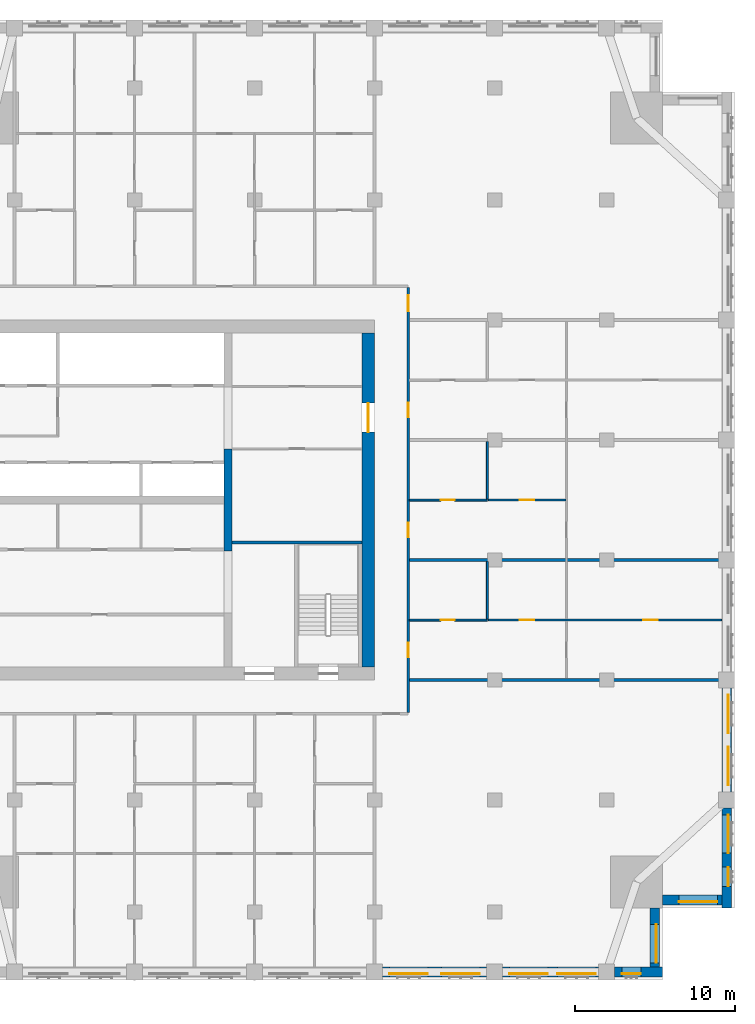
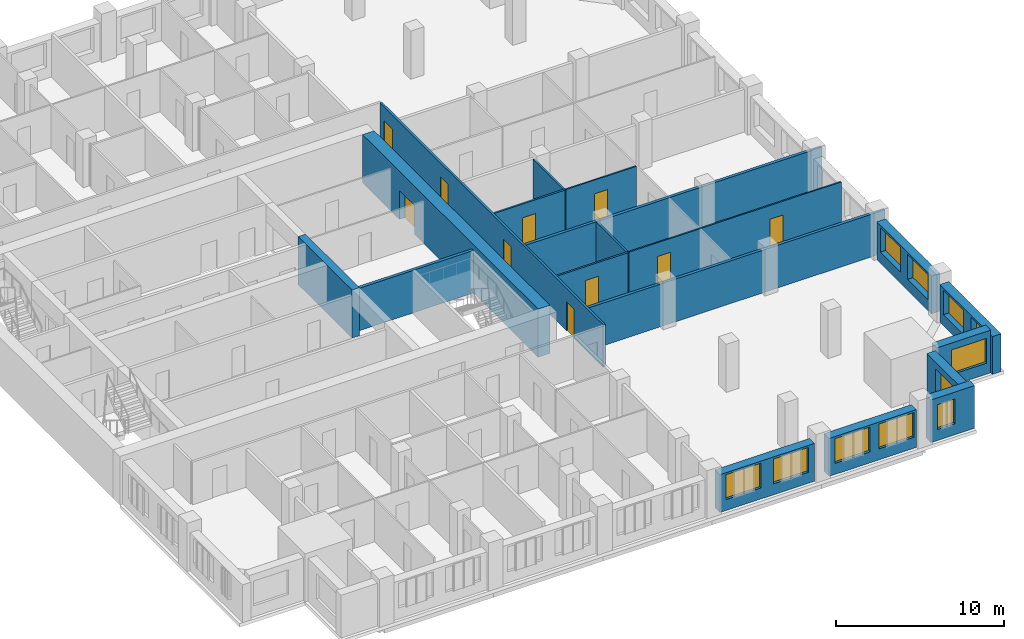
# One storey, part 8 of 14: 19 walls, 11 windows, 10 doors, 21 openings.
"""IFC4 building model written with IfcOpenShell, lengths in metres."""

import ifcopenshell
import ifcopenshell.guid

model = None  # the IFC model being written
_history = None  # IfcOwnerHistory: only IFC2X3 demands one
_inside = {}  # id of a spatial element -> (the spatial element, [elements in it])
_under = {}  # id of a project, library or spatial element -> (it, [spatial elements below it])
_declared = {}  # id of a project -> (the project, [libraries it declares])
_typed = {}  # id of a type object -> (the type object, [elements of that type])
_made_of = {}  # id of a material, layer set ... -> (it, [elements and type objects made of it])


def new_model(schema):
    """Start an empty IFC model of exactly this schema.

    Asked for "IFC4X3", IfcOpenShell would pick the latest addendum, in which some entities
    have other attributes; the version numbers below select the first issue.
    IFC2X3 requires an IfcOwnerHistory on every rooted entity: one is made here for all.
    """
    global model, _history
    if schema == "IFC4X3":
        model = ifcopenshell.file(schema_version=(4, 3, 0, 0))
    else:
        model = ifcopenshell.file(schema=schema)
    _inside.clear()
    _under.clear()
    _declared.clear()
    _typed.clear()
    _made_of.clear()
    _history = None
    if model.schema == "IFC2X3":
        org = make("IfcOrganization", Name="unknown")
        user = make(
            "IfcPersonAndOrganization",
            ThePerson=make("IfcPerson", FamilyName="unknown"),
            TheOrganization=org,
        )
        app = make(
            "IfcApplication",
            ApplicationDeveloper=org,
            Version="unknown",
            ApplicationFullName="unknown",
            ApplicationIdentifier="unknown",
        )
        _history = make(
            "IfcOwnerHistory",
            OwningUser=user,
            OwningApplication=app,
            ChangeAction="ADDED",
            CreationDate=0,
        )
    return model


def make(cls, **values):
    """One entity of the class cls with the attributes given. An attribute that is None is left unset."""
    return model.create_entity(
        cls, **{name: value for name, value in values.items() if value is not None}
    )


def rooted(cls, **values):
    """An entity with a GlobalId (a new one), such as an element, a storey or a relation."""
    return make(cls, GlobalId=ifcopenshell.guid.new(), OwnerHistory=_history, **values)


def si_unit(unit_type, name, prefix=None):
    """IfcSIUnit, for example si_unit("LENGTHUNIT", "METRE", prefix="MILLI")."""
    return make("IfcSIUnit", UnitType=unit_type, Prefix=prefix, Name=name)


def assignment(units):
    """IfcUnitAssignment: the units of a project."""
    return None if units is None else make("IfcUnitAssignment", Units=units)


def point(xyz):
    """IfcCartesianPoint."""
    return None if xyz is None else make("IfcCartesianPoint", Coordinates=xyz)


def direction(xyz):
    """IfcDirection."""
    return None if xyz is None else make("IfcDirection", DirectionRatios=xyz)


def frame(location, z_axis=None, x_axis=None):
    """IfcAxis2Placement3D, a coordinate frame: its origin and axes. An axis left out is left unset."""
    return make(
        "IfcAxis2Placement3D",
        Location=point(location),
        Axis=direction(z_axis),
        RefDirection=direction(x_axis),
    )


def frame_2d(location, x_axis=None):
    """IfcAxis2Placement2D, a coordinate frame in the plane: its origin and x axis."""
    return make(
        "IfcAxis2Placement2D", Location=point(location), RefDirection=direction(x_axis)
    )


def origin():
    """The frame at (0, 0, 0) with its axes left unset."""
    return frame((0.0, 0.0, 0.0))


def place(relative_to, where):
    """IfcLocalPlacement: puts the frame where relative to a parent placement (None: the world)."""
    return make(
        "IfcLocalPlacement", PlacementRelTo=relative_to, RelativePlacement=where
    )


def context(
    kind, dimensions, precision=None, world=None, true_north=None, identifier=None
):
    """IfcGeometricRepresentationContext, for example the 3D "Model" context."""
    return make(
        "IfcGeometricRepresentationContext",
        ContextIdentifier=identifier,
        ContextType=kind,
        CoordinateSpaceDimension=dimensions,
        Precision=precision,
        WorldCoordinateSystem=world,
        TrueNorth=true_north,
    )


def subcontext(parent, identifier, kind, view, scale=None):
    """IfcGeometricRepresentationSubContext, for example "Body" below "Model"."""
    return make(
        "IfcGeometricRepresentationSubContext",
        ContextIdentifier=identifier,
        ContextType=kind,
        ParentContext=parent,
        TargetScale=scale,
        TargetView=view,
    )


def project(units=None, contexts=None):
    """IfcProject with its units and contexts."""
    return rooted(
        "IfcProject",
        Name="project",
        RepresentationContexts=contexts,
        UnitsInContext=assignment(units),
    )


def spatial(cls, under=None, at=None, **own):
    """A site, building, storey or space (cls), placed at a placement, below another one or the project."""
    s = rooted(cls, ObjectPlacement=at, **own)
    if under is not None:
        _under.setdefault(under.id(), (under, []))[1].append(s)
    return s


def profile(cls, at=None, kind="AREA", **sizes):
    """A parametric profile (cls). Its sizes go by their IFC names, for example OverallWidth=200.0."""
    return make(cls, ProfileType=kind, Position=at, **sizes)


def rectangle(**sizes):
    """IfcRectangleProfileDef."""
    return profile("IfcRectangleProfileDef", **sizes)


def extrude(swept, where, along, depth):
    """IfcExtrudedAreaSolid: the profile swept, set in the frame where, extruded along a direction by depth."""
    return make(
        "IfcExtrudedAreaSolid",
        SweptArea=swept,
        Position=where,
        ExtrudedDirection=direction(along),
        Depth=depth,
    )


def shape(context_of_items, identifier, shape_type, items):
    """IfcShapeRepresentation: the items that make up one representation, for example the "Body"."""
    return make(
        "IfcShapeRepresentation",
        ContextOfItems=context_of_items,
        RepresentationIdentifier=identifier,
        RepresentationType=shape_type,
        Items=items,
    )


def material(Name=None, Category=None):
    """IfcMaterial."""
    return make("IfcMaterial", Name=Name, Category=Category)


def layer(
    of_material, thickness, ventilated=None, Name=None, Category=None, Priority=None
):
    """IfcMaterialLayer: one layer of a wall or slab, of a material (None: an air gap)."""
    return make(
        "IfcMaterialLayer",
        Material=of_material,
        LayerThickness=thickness,
        IsVentilated=ventilated,
        Name=Name,
        Category=Category,
        Priority=Priority,
    )


def layer_set(layers, Name=None):
    """IfcMaterialLayerSet."""
    return make("IfcMaterialLayerSet", MaterialLayers=layers, LayerSetName=Name)


def made_of(thing, what):
    """Note that an element or type object is made of a material, layer set ...; save() writes the relation."""
    if what is not None:
        _made_of.setdefault(what.id(), (what, []))[1].append(thing)
    return thing


def type_object(cls, material=None, **own):
    """A type object (cls), such as IfcWallType, which elements share."""
    return made_of(rooted(cls, **own), material)


def element(
    cls,
    number,
    at=None,
    inside=None,
    cuts=None,
    type_object=None,
    material=None,
    context=None,
    identifier="Body",
    shape_type=None,
    held_by="IfcProductDefinitionShape",
    body=None,
    shapes=None,
    **own,
):
    """One element of the class cls, such as IfcWall. Its Tag is "e" and its number.

    at: its placement. inside: the storey or other place that contains it. cuts: it is an
    opening in that element (IfcRelVoidsElement). A single representation is given by context,
    identifier, shape_type and body (its items); several are given by shapes. held_by: the class
    of the entity that holds the representations. save() writes the other relations.
    """
    e = rooted(cls, Tag="e%d" % number, ObjectPlacement=at, **own)
    if body is not None:
        shapes = [shape(context, identifier, shape_type, body)]
    if shapes is not None:
        e.Representation = make(held_by, Representations=shapes)
    if inside is not None:
        _inside.setdefault(inside.id(), (inside, []))[1].append(e)
    if cuts is not None:
        rooted(
            "IfcRelVoidsElement", RelatingBuildingElement=cuts, RelatedOpeningElement=e
        )
    if type_object is not None:
        _typed.setdefault(type_object.id(), (type_object, []))[1].append(e)
    return made_of(e, material)


def fill(opening, filler):
    """IfcRelFillsElement: the door or window that sits in an opening."""
    return rooted(
        "IfcRelFillsElement",
        RelatingOpeningElement=opening,
        RelatedBuildingElement=filler,
    )


def aggregate(whole, parts):
    """IfcRelAggregates: a whole, such as a stair, and the parts it consists of."""
    return rooted("IfcRelAggregates", RelatingObject=whole, RelatedObjects=parts)


def save(model, path):
    """Write the relations noted so far, then the file.

    IfcRelAggregates (storeys below a building ...), IfcRelContainedInSpatialStructure (elements
    in a storey), IfcRelDefinesByType, IfcRelAssociatesMaterial and IfcRelDeclares: one each for
    every whole, place, type object, material and project.
    """
    for whole, parts in _under.values():
        aggregate(whole, parts)
    for where, things in _inside.values():
        rooted(
            "IfcRelContainedInSpatialStructure",
            RelatedElements=things,
            RelatingStructure=where,
        )
    for kind, things in _typed.values():
        rooted("IfcRelDefinesByType", RelatedObjects=things, RelatingType=kind)
    for what, things in _made_of.values():
        rooted("IfcRelAssociatesMaterial", RelatedObjects=things, RelatingMaterial=what)
    for by, libraries in _declared.values():
        rooted("IfcRelDeclares", RelatingContext=by, RelatedDefinitions=libraries)
    model.write(path)


model = new_model("IFC4")

# Units and contexts
model_context = context("Model", 3, precision=1e-05, world=origin(), true_north=direction((0.0, 1.0)))
body_context = subcontext(model_context, "Body", "Model", "MODEL_VIEW")
ifc_project = project(units=[si_unit("LENGTHUNIT", "METRE"), si_unit("AREAUNIT", "SQUARE_METRE"), si_unit("VOLUMEUNIT", "CUBIC_METRE"), si_unit("PLANEANGLEUNIT", "RADIAN"), si_unit("MASSUNIT", "GRAM", prefix="KILO")], contexts=[model_context])

# Site, building, storey
site_placement = place(None, origin())
site = spatial("IfcSite", under=ifc_project, at=site_placement, CompositionType="ELEMENT")
building_placement = place(site_placement, origin())
building = spatial("IfcBuilding", under=site, at=building_placement, Name="Tamorin Gate", CompositionType="ELEMENT")
storey_placement = place(building_placement, frame((0.0, 0.0, 210.699951171875)))
storey = spatial("IfcBuildingStorey", under=building, at=storey_placement, Name="L52", CompositionType="ELEMENT", Elevation=210.699951171875)

# Wall, openings, windows
ifc_material_1 = material(Name="Precast concrete C40/50", Category="concrete")
ifc_layer_1 = layer(ifc_material_1, 0.60009765625)
ifc_layer_set_1 = layer_set([ifc_layer_1], Name="Precast concrete C40/50")
wall_type_1 = type_object("IfcWallType", Name="Board-marked concrete facade panel 600", PredefinedType="SOLIDWALL", material=ifc_layer_set_1)
wall_1_placement = place(storey_placement, frame((60.5, 41.75, 0.0), z_axis=(0.0, 0.0, 1.0), x_axis=(1.0, 0.0, 0.0)))
wall_1 = element("IfcWall", 1, at=wall_1_placement, inside=storey, type_object=wall_type_1, Name="Facade panel", PredefinedType="SOLIDWALL", context=body_context, shape_type="SweptSolid", body=[
    extrude(rectangle(XDim=6.5, YDim=0.60009765625, at=frame_2d((3.25, 0.0))), origin(), (0.0, 0.0, 1.0), 2.75),
])
opening_1_placement = place(wall_1_placement, frame((0.425048828125, 0.0, 0.800048828125)))
opening_1 = element("IfcOpeningElement", 2, at=opening_1_placement, cuts=wall_1, Name="Opening WN1", PredefinedType="OPENING", context=body_context, shape_type="SweptSolid", body=[
    extrude(rectangle(XDim=2.39990234375, YDim=1.800048828125, at=frame_2d((1.199951171875, 0.89990234375))), frame((0.0, 0.31005859375, 0.0), z_axis=(0.0, -1.0, 0.0), x_axis=(1.0, 0.0, 0.0)), (0.0, 0.0, 1.0), 0.6201171875),
])
opening_2_placement = place(wall_1_placement, frame((3.675048828125, 0.0, 0.800048828125)))
opening_2 = element("IfcOpeningElement", 3, at=opening_2_placement, cuts=wall_1, Name="Opening WN1", PredefinedType="OPENING", context=body_context, shape_type="SweptSolid", body=[
    extrude(rectangle(XDim=2.39990234375, YDim=1.800048828125, at=frame_2d((1.199951171875, 0.89990234375))), frame((0.0, 0.31005859375, 0.0), z_axis=(0.0, -1.0, 0.0), x_axis=(1.0, 0.0, 0.0)), (0.0, 0.0, 1.0), 0.6201171875),
])
ifc_material_2 = material(Name="Clear glass in aluminium frame", Category="aluminium")
window_type_1 = type_object("IfcWindowType", Name="Deep-set window 2400x1800", PartitioningType="SINGLE_PANEL", PredefinedType="WINDOW", material=ifc_material_2)
window_1_placement = place(opening_1_placement, origin())
window_1 = element("IfcWindow", 4, at=window_1_placement, inside=storey, type_object=window_type_1, Name="Deep-set window", OverallHeight=1.800048828125, OverallWidth=2.39990234375, PartitioningType="SINGLE_PANEL", PredefinedType="WINDOW", context=body_context, shape_type="SweptSolid", body=[
    extrude(rectangle(XDim=2.39990234375, YDim=1.800048828125, at=frame_2d((1.199951171875, 0.89990234375))), frame((0.0, -0.070068359375, 0.0), z_axis=(0.0, -1.0, 0.0), x_axis=(1.0, 0.0, 0.0)), (0.0, 0.0, 1.0), 0.06005859375),
])
fill(opening_1, window_1)
window_2_placement = place(opening_2_placement, origin())
window_2 = element("IfcWindow", 5, at=window_2_placement, inside=storey, type_object=window_type_1, Name="Deep-set window", OverallHeight=1.800048828125, OverallWidth=2.39990234375, PartitioningType="SINGLE_PANEL", PredefinedType="WINDOW", context=body_context, shape_type="SweptSolid", body=[
    extrude(rectangle(XDim=2.39990234375, YDim=1.800048828125, at=frame_2d((1.199951171875, 0.89990234375))), frame((0.0, -0.070068359375, 0.0), z_axis=(0.0, -1.0, 0.0), x_axis=(1.0, 0.0, 0.0)), (0.0, 0.0, 1.0), 0.06005859375),
])
fill(opening_2, window_2)

wall_2_placement = place(storey_placement, frame((68.0, 41.75, 0.0), z_axis=(0.0, 0.0, 1.0), x_axis=(1.0, 0.0, 0.0)))
wall_2 = element("IfcWall", 6, at=wall_2_placement, inside=storey, type_object=wall_type_1, Name="Facade panel", PredefinedType="SOLIDWALL", context=body_context, shape_type="SweptSolid", body=[
    extrude(rectangle(XDim=6.0, YDim=0.60009765625, at=frame_2d((3.0, 0.0))), origin(), (0.0, 0.0, 1.0), 2.75),
])
opening_3_placement = place(wall_2_placement, frame((0.425048828125, 0.0, 0.800048828125)))
opening_3 = element("IfcOpeningElement", 7, at=opening_3_placement, cuts=wall_2, Name="Opening WN1", PredefinedType="OPENING", context=body_context, shape_type="SweptSolid", body=[
    extrude(rectangle(XDim=2.39990234375, YDim=1.800048828125, at=frame_2d((1.199951171875, 0.89990234375))), frame((0.0, 0.31005859375, 0.0), z_axis=(0.0, -1.0, 0.0), x_axis=(1.0, 0.0, 0.0)), (0.0, 0.0, 1.0), 0.6201171875),
])
opening_4_placement = place(wall_2_placement, frame((3.425048828125, 0.0, 0.800048828125)))
opening_4 = element("IfcOpeningElement", 8, at=opening_4_placement, cuts=wall_2, Name="Opening WN1", PredefinedType="OPENING", context=body_context, shape_type="SweptSolid", body=[
    extrude(rectangle(XDim=2.39990234375, YDim=1.800048828125, at=frame_2d((1.199951171875, 0.89990234375))), frame((0.0, 0.31005859375, 0.0), z_axis=(0.0, -1.0, 0.0), x_axis=(1.0, 0.0, 0.0)), (0.0, 0.0, 1.0), 0.6201171875),
])
window_3_placement = place(opening_3_placement, origin())
window_3 = element("IfcWindow", 9, at=window_3_placement, inside=storey, type_object=window_type_1, Name="Deep-set window", OverallHeight=1.800048828125, OverallWidth=2.39990234375, PartitioningType="SINGLE_PANEL", PredefinedType="WINDOW", context=body_context, shape_type="SweptSolid", body=[
    extrude(rectangle(XDim=2.39990234375, YDim=1.800048828125, at=frame_2d((1.199951171875, 0.89990234375))), frame((0.0, -0.070068359375, 0.0), z_axis=(0.0, -1.0, 0.0), x_axis=(1.0, 0.0, 0.0)), (0.0, 0.0, 1.0), 0.06005859375),
])
fill(opening_3, window_3)
window_4_placement = place(opening_4_placement, origin())
window_4 = element("IfcWindow", 10, at=window_4_placement, inside=storey, type_object=window_type_1, Name="Deep-set window", OverallHeight=1.800048828125, OverallWidth=2.39990234375, PartitioningType="SINGLE_PANEL", PredefinedType="WINDOW", context=body_context, shape_type="SweptSolid", body=[
    extrude(rectangle(XDim=2.39990234375, YDim=1.800048828125, at=frame_2d((1.199951171875, 0.89990234375))), frame((0.0, -0.070068359375, 0.0), z_axis=(0.0, -1.0, 0.0), x_axis=(1.0, 0.0, 0.0)), (0.0, 0.0, 1.0), 0.06005859375),
])
fill(opening_4, window_4)

# Wall, opening, window
wall_3_placement = place(storey_placement, frame((75.0, 41.75, 0.0), z_axis=(0.0, 0.0, 1.0), x_axis=(1.0, 0.0, 0.0)))
wall_3 = element("IfcWall", 11, at=wall_3_placement, inside=storey, type_object=wall_type_1, Name="Facade panel", PredefinedType="SOLIDWALL", context=body_context, shape_type="SweptSolid", body=[
    extrude(rectangle(XDim=3.0, YDim=0.60009765625, at=frame_2d((1.5, 0.0))), origin(), (0.0, 0.0, 1.0), 3.10009765625),
])
opening_5_placement = place(wall_3_placement, frame((0.449951171875, 0.0, 0.800048828125)))
opening_5 = element("IfcOpeningElement", 12, at=opening_5_placement, cuts=wall_3, Name="Opening WN3", PredefinedType="OPENING", context=body_context, shape_type="SweptSolid", body=[
    extrude(rectangle(XDim=1.199951171875, YDim=1.800048828125, at=frame_2d((0.60009765625, 0.89990234375))), frame((0.0, 0.31005859375, 0.0), z_axis=(0.0, -1.0, 0.0), x_axis=(1.0, 0.0, 0.0)), (0.0, 0.0, 1.0), 0.6201171875),
])
window_type_2 = type_object("IfcWindowType", Name="Deep-set window 1200x1800", PartitioningType="SINGLE_PANEL", PredefinedType="WINDOW", material=ifc_material_2)
window_5_placement = place(opening_5_placement, origin())
window_5 = element("IfcWindow", 13, at=window_5_placement, inside=storey, type_object=window_type_2, Name="Deep-set window", OverallHeight=1.800048828125, OverallWidth=1.199951171875, PartitioningType="SINGLE_PANEL", PredefinedType="WINDOW", context=body_context, shape_type="SweptSolid", body=[
    extrude(rectangle(XDim=1.199951171875, YDim=1.800048828125, at=frame_2d((0.60009765625, 0.89990234375))), frame((0.0, -0.070068359375, 0.0), z_axis=(0.0, -1.0, 0.0), x_axis=(1.0, 0.0, 0.0)), (0.0, 0.0, 1.0), 0.06005859375),
])
fill(opening_5, window_5)

wall_4_placement = place(storey_placement, frame((77.5, 42.050048828125, 0.0), z_axis=(0.0, 0.0, 1.0), x_axis=(0.0, 1.0, 0.0)))
wall_4 = element("IfcWall", 14, at=wall_4_placement, inside=storey, type_object=wall_type_1, Name="Facade panel", PredefinedType="SOLIDWALL", context=body_context, shape_type="SweptSolid", body=[
    extrude(rectangle(XDim=3.699951171875, YDim=0.60009765625, at=frame_2d((1.85009765625, 0.0))), origin(), (0.0, 0.0, 1.0), 3.10009765625),
])
opening_6_placement = place(wall_4_placement, frame((0.27490234375, 0.0, 0.800048828125)))
opening_6 = element("IfcOpeningElement", 15, at=opening_6_placement, cuts=wall_4, Name="Opening WN1", PredefinedType="OPENING", context=body_context, shape_type="SweptSolid", body=[
    extrude(rectangle(XDim=2.39990234375, YDim=1.800048828125, at=frame_2d((1.199951171875, 0.89990234375))), frame((0.0, 0.31005859375, 0.0), z_axis=(0.0, -1.0, 0.0), x_axis=(1.0, 0.0, 0.0)), (0.0, 0.0, 1.0), 0.6201171875),
])
window_6_placement = place(opening_6_placement, origin())
window_6 = element("IfcWindow", 16, at=window_6_placement, inside=storey, type_object=window_type_1, Name="Deep-set window", OverallHeight=1.800048828125, OverallWidth=2.39990234375, PartitioningType="SINGLE_PANEL", PredefinedType="WINDOW", context=body_context, shape_type="SweptSolid", body=[
    extrude(rectangle(XDim=2.39990234375, YDim=1.800048828125, at=frame_2d((1.199951171875, 0.89990234375))), frame((0.0, -0.070068359375, 0.0), z_axis=(0.0, -1.0, 0.0), x_axis=(1.0, 0.0, 0.0)), (0.0, 0.0, 1.0), 0.06005859375),
])
fill(opening_6, window_6)

wall_5_placement = place(storey_placement, frame((78.0, 46.25, 0.0), z_axis=(0.0, 0.0, 1.0), x_axis=(1.0, 0.0, 0.0)))
wall_5 = element("IfcWall", 17, at=wall_5_placement, inside=storey, type_object=wall_type_1, Name="Facade panel", PredefinedType="SOLIDWALL", context=body_context, shape_type="SweptSolid", body=[
    extrude(rectangle(XDim=3.699951171875, YDim=0.60009765625, at=frame_2d((1.85009765625, 0.0))), origin(), (0.0, 0.0, 1.0), 3.10009765625),
])
opening_7_placement = place(wall_5_placement, frame((1.02490234375, 0.0, 0.800048828125)))
opening_7 = element("IfcOpeningElement", 18, at=opening_7_placement, cuts=wall_5, Name="Opening WN1", PredefinedType="OPENING", context=body_context, shape_type="SweptSolid", body=[
    extrude(rectangle(XDim=2.39990234375, YDim=1.800048828125, at=frame_2d((1.199951171875, 0.89990234375))), frame((0.0, 0.31005859375, 0.0), z_axis=(0.0, -1.0, 0.0), x_axis=(1.0, 0.0, 0.0)), (0.0, 0.0, 1.0), 0.6201171875),
])
window_7_placement = place(opening_7_placement, origin())
window_7 = element("IfcWindow", 19, at=window_7_placement, inside=storey, type_object=window_type_1, Name="Deep-set window", OverallHeight=1.800048828125, OverallWidth=2.39990234375, PartitioningType="SINGLE_PANEL", PredefinedType="WINDOW", context=body_context, shape_type="SweptSolid", body=[
    extrude(rectangle(XDim=2.39990234375, YDim=1.800048828125, at=frame_2d((1.199951171875, 0.89990234375))), frame((0.0, -0.070068359375, 0.0), z_axis=(0.0, -1.0, 0.0), x_axis=(1.0, 0.0, 0.0)), (0.0, 0.0, 1.0), 0.06005859375),
])
fill(opening_7, window_7)

# Wall, openings, windows
wall_6_placement = place(storey_placement, frame((82.0, 45.75, 0.0), z_axis=(0.0, 0.0, 1.0), x_axis=(0.0, 1.0, 0.0)))
wall_6 = element("IfcWall", 20, at=wall_6_placement, inside=storey, type_object=wall_type_1, Name="Facade panel", PredefinedType="SOLIDWALL", context=body_context, shape_type="SweptSolid", body=[
    extrude(rectangle(XDim=6.25, YDim=0.60009765625, at=frame_2d((3.125, 0.0))), origin(), (0.0, 0.0, 1.0), 2.75),
])
opening_8_placement = place(wall_6_placement, frame((1.35009765625, 0.0, 0.800048828125)))
opening_8 = element("IfcOpeningElement", 21, at=opening_8_placement, cuts=wall_6, Name="Opening WN3", PredefinedType="OPENING", context=body_context, shape_type="SweptSolid", body=[
    extrude(rectangle(XDim=1.199951171875, YDim=1.800048828125, at=frame_2d((0.60009765625, 0.89990234375))), frame((0.0, 0.31005859375, 0.0), z_axis=(0.0, -1.0, 0.0), x_axis=(1.0, 0.0, 0.0)), (0.0, 0.0, 1.0), 0.6201171875),
])
opening_9_placement = place(wall_6_placement, frame((3.425048828125, 0.0, 0.800048828125)))
opening_9 = element("IfcOpeningElement", 22, at=opening_9_placement, cuts=wall_6, Name="Opening WN1", PredefinedType="OPENING", context=body_context, shape_type="SweptSolid", body=[
    extrude(rectangle(XDim=2.39990234375, YDim=1.800048828125, at=frame_2d((1.199951171875, 0.89990234375))), frame((0.0, 0.31005859375, 0.0), z_axis=(0.0, -1.0, 0.0), x_axis=(1.0, 0.0, 0.0)), (0.0, 0.0, 1.0), 0.6201171875),
])
window_8_placement = place(opening_8_placement, origin())
window_8 = element("IfcWindow", 23, at=window_8_placement, inside=storey, type_object=window_type_2, Name="Deep-set window", OverallHeight=1.800048828125, OverallWidth=1.199951171875, PartitioningType="SINGLE_PANEL", PredefinedType="WINDOW", context=body_context, shape_type="SweptSolid", body=[
    extrude(rectangle(XDim=1.199951171875, YDim=1.800048828125, at=frame_2d((0.60009765625, 0.89990234375))), frame((0.0, -0.070068359375, 0.0), z_axis=(0.0, -1.0, 0.0), x_axis=(1.0, 0.0, 0.0)), (0.0, 0.0, 1.0), 0.06005859375),
])
fill(opening_8, window_8)
window_9_placement = place(opening_9_placement, origin())
window_9 = element("IfcWindow", 24, at=window_9_placement, inside=storey, type_object=window_type_1, Name="Deep-set window", OverallHeight=1.800048828125, OverallWidth=2.39990234375, PartitioningType="SINGLE_PANEL", PredefinedType="WINDOW", context=body_context, shape_type="SweptSolid", body=[
    extrude(rectangle(XDim=2.39990234375, YDim=1.800048828125, at=frame_2d((1.199951171875, 0.89990234375))), frame((0.0, -0.070068359375, 0.0), z_axis=(0.0, -1.0, 0.0), x_axis=(1.0, 0.0, 0.0)), (0.0, 0.0, 1.0), 0.06005859375),
])
fill(opening_9, window_9)

wall_7_placement = place(storey_placement, frame((82.0, 53.0, 0.0), z_axis=(0.0, 0.0, 1.0), x_axis=(0.0, 1.0, 0.0)))
wall_7 = element("IfcWall", 25, at=wall_7_placement, inside=storey, type_object=wall_type_1, Name="Facade panel", PredefinedType="SOLIDWALL", context=body_context, shape_type="SweptSolid", body=[
    extrude(rectangle(XDim=6.5, YDim=0.60009765625, at=frame_2d((3.25, 0.0))), origin(), (0.0, 0.0, 1.0), 2.75),
])
opening_10_placement = place(wall_7_placement, frame((0.425048828125, 0.0, 0.800048828125)))
opening_10 = element("IfcOpeningElement", 26, at=opening_10_placement, cuts=wall_7, Name="Opening WN1", PredefinedType="OPENING", context=body_context, shape_type="SweptSolid", body=[
    extrude(rectangle(XDim=2.39990234375, YDim=1.800048828125, at=frame_2d((1.199951171875, 0.89990234375))), frame((0.0, 0.31005859375, 0.0), z_axis=(0.0, -1.0, 0.0), x_axis=(1.0, 0.0, 0.0)), (0.0, 0.0, 1.0), 0.6201171875),
])
opening_11_placement = place(wall_7_placement, frame((3.675048828125, 0.0, 0.800048828125)))
opening_11 = element("IfcOpeningElement", 27, at=opening_11_placement, cuts=wall_7, Name="Opening WN1", PredefinedType="OPENING", context=body_context, shape_type="SweptSolid", body=[
    extrude(rectangle(XDim=2.39990234375, YDim=1.800048828125, at=frame_2d((1.199951171875, 0.89990234375))), frame((0.0, 0.31005859375, 0.0), z_axis=(0.0, -1.0, 0.0), x_axis=(1.0, 0.0, 0.0)), (0.0, 0.0, 1.0), 0.6201171875),
])
window_10_placement = place(opening_10_placement, origin())
window_10 = element("IfcWindow", 28, at=window_10_placement, inside=storey, type_object=window_type_1, Name="Deep-set window", OverallHeight=1.800048828125, OverallWidth=2.39990234375, PartitioningType="SINGLE_PANEL", PredefinedType="WINDOW", context=body_context, shape_type="SweptSolid", body=[
    extrude(rectangle(XDim=2.39990234375, YDim=1.800048828125, at=frame_2d((1.199951171875, 0.89990234375))), frame((0.0, -0.070068359375, 0.0), z_axis=(0.0, -1.0, 0.0), x_axis=(1.0, 0.0, 0.0)), (0.0, 0.0, 1.0), 0.06005859375),
])
fill(opening_10, window_10)
window_11_placement = place(opening_11_placement, origin())
window_11 = element("IfcWindow", 29, at=window_11_placement, inside=storey, type_object=window_type_1, Name="Deep-set window", OverallHeight=1.800048828125, OverallWidth=2.39990234375, PartitioningType="SINGLE_PANEL", PredefinedType="WINDOW", context=body_context, shape_type="SweptSolid", body=[
    extrude(rectangle(XDim=2.39990234375, YDim=1.800048828125, at=frame_2d((1.199951171875, 0.89990234375))), frame((0.0, -0.070068359375, 0.0), z_axis=(0.0, -1.0, 0.0), x_axis=(1.0, 0.0, 0.0)), (0.0, 0.0, 1.0), 0.06005859375),
])
fill(opening_11, window_11)

# Wall, openings, doors
ifc_material_3 = material(Name="Gypsum board partition")
ifc_layer_2 = layer(ifc_material_3, 0.14990234375)
ifc_layer_set_2 = layer_set([ifc_layer_2], Name="Corridor wall 150")
wall_type_2 = type_object("IfcWallType", Name="Corridor wall 150", PredefinedType="PARTITIONING", material=ifc_layer_set_2)
wall_8_placement = place(storey_placement, frame((62.10009765625, 57.97509765625, 0.0), z_axis=(0.0, 0.0, 1.0), x_axis=(0.0, 1.0, 0.0)))
wall_8 = element("IfcWall", 30, at=wall_8_placement, inside=storey, type_object=wall_type_2, Name="Corridor wall 150", PredefinedType="PARTITIONING", context=body_context, shape_type="SweptSolid", body=[
    extrude(rectangle(XDim=26.5498046875, YDim=0.14990234375, at=frame_2d((13.27490234375, 0.0))), origin(), (0.0, 0.0, 1.0), 3.10009765625),
])
opening_12_placement = place(wall_8_placement, frame((25.074951171875, 0.0, 0.0)))
opening_12 = element("IfcOpeningElement", 31, at=opening_12_placement, cuts=wall_8, Name="Opening DR2035", PredefinedType="OPENING", context=body_context, shape_type="SweptSolid", body=[
    extrude(rectangle(XDim=1.0, YDim=2.10009765625, at=frame_2d((0.5, 1.050048828125))), frame((0.0, 0.0849609375, 0.0), z_axis=(0.0, -1.0, 0.0), x_axis=(1.0, 0.0, 0.0)), (0.0, 0.0, 1.0), 0.169921875),
])
opening_13_placement = place(wall_8_placement, frame((3.449951171875, 0.0, 0.0)))
opening_13 = element("IfcOpeningElement", 32, at=opening_13_placement, cuts=wall_8, Name="Opening DR2036", PredefinedType="OPENING", context=body_context, shape_type="SweptSolid", body=[
    extrude(rectangle(XDim=0.89990234375, YDim=2.10009765625, at=frame_2d((0.449951171875, 1.050048828125))), frame((0.0, 0.0849609375, 0.0), z_axis=(0.0, -1.0, 0.0), x_axis=(1.0, 0.0, 0.0)), (0.0, 0.0, 1.0), 0.169921875),
])
opening_14_placement = place(wall_8_placement, frame((10.949951171875, 0.0, 0.0)))
opening_14 = element("IfcOpeningElement", 33, at=opening_14_placement, cuts=wall_8, Name="Opening DR2041", PredefinedType="OPENING", context=body_context, shape_type="SweptSolid", body=[
    extrude(rectangle(XDim=0.89990234375, YDim=2.10009765625, at=frame_2d((0.449951171875, 1.050048828125))), frame((0.0, 0.0849609375, 0.0), z_axis=(0.0, -1.0, 0.0), x_axis=(1.0, 0.0, 0.0)), (0.0, 0.0, 1.0), 0.169921875),
])
opening_15_placement = place(wall_8_placement, frame((18.449951171875, 0.0, 0.0)))
opening_15 = element("IfcOpeningElement", 34, at=opening_15_placement, cuts=wall_8, Name="Opening DR2045", PredefinedType="OPENING", context=body_context, shape_type="SweptSolid", body=[
    extrude(rectangle(XDim=0.89990234375, YDim=2.10009765625, at=frame_2d((0.449951171875, 1.050048828125))), frame((0.0, 0.0849609375, 0.0), z_axis=(0.0, -1.0, 0.0), x_axis=(1.0, 0.0, 0.0)), (0.0, 0.0, 1.0), 0.169921875),
])
ifc_material_4 = material(Name="Timber door leaf", Category="wood")
door_type_1 = type_object("IfcDoorType", Name="Door 1000 x 2100 FD30S", OperationType="NOTDEFINED", PredefinedType="DOOR", material=ifc_material_4)
door_1_placement = place(opening_12_placement, origin())
door_1 = element("IfcDoor", 35, at=door_1_placement, inside=storey, type_object=door_type_1, Name="Door DR2035", OperationType="SINGLE_SWING_RIGHT", OverallHeight=2.10009765625, OverallWidth=1.0, PredefinedType="DOOR", context=body_context, shape_type="SweptSolid", body=[
    extrude(rectangle(XDim=1.0, YDim=2.10009765625, at=frame_2d((0.5, 1.050048828125))), frame((0.0, 0.02490234375, 0.0), z_axis=(0.0, -1.0, 0.0), x_axis=(1.0, 0.0, 0.0)), (0.0, 0.0, 1.0), 0.050048828125),
])
fill(opening_12, door_1)
door_type_2 = type_object("IfcDoorType", Name="Door 900 x 2100 FD30S", OperationType="NOTDEFINED", PredefinedType="DOOR", material=ifc_material_4)
door_2_placement = place(opening_13_placement, origin())
door_2 = element("IfcDoor", 36, at=door_2_placement, inside=storey, type_object=door_type_2, Name="Door DR2036", OperationType="SINGLE_SWING_RIGHT", OverallHeight=2.10009765625, OverallWidth=0.89990234375, PredefinedType="DOOR", context=body_context, shape_type="SweptSolid", body=[
    extrude(rectangle(XDim=0.89990234375, YDim=2.10009765625, at=frame_2d((0.449951171875, 1.050048828125))), frame((0.0, 0.02490234375, 0.0), z_axis=(0.0, -1.0, 0.0), x_axis=(1.0, 0.0, 0.0)), (0.0, 0.0, 1.0), 0.050048828125),
])
fill(opening_13, door_2)
door_3_placement = place(opening_14_placement, origin())
door_3 = element("IfcDoor", 37, at=door_3_placement, inside=storey, type_object=door_type_2, Name="Door DR2041", OperationType="SINGLE_SWING_RIGHT", OverallHeight=2.10009765625, OverallWidth=0.89990234375, PredefinedType="DOOR", context=body_context, shape_type="SweptSolid", body=[
    extrude(rectangle(XDim=0.89990234375, YDim=2.10009765625, at=frame_2d((0.449951171875, 1.050048828125))), frame((0.0, 0.02490234375, 0.0), z_axis=(0.0, -1.0, 0.0), x_axis=(1.0, 0.0, 0.0)), (0.0, 0.0, 1.0), 0.050048828125),
])
fill(opening_14, door_3)
door_4_placement = place(opening_15_placement, origin())
door_4 = element("IfcDoor", 38, at=door_4_placement, inside=storey, type_object=door_type_2, Name="Door DR2045", OperationType="SINGLE_SWING_RIGHT", OverallHeight=2.10009765625, OverallWidth=0.89990234375, PredefinedType="DOOR", context=body_context, shape_type="SweptSolid", body=[
    extrude(rectangle(XDim=0.89990234375, YDim=2.10009765625, at=frame_2d((0.449951171875, 1.050048828125))), frame((0.0, 0.02490234375, 0.0), z_axis=(0.0, -1.0, 0.0), x_axis=(1.0, 0.0, 0.0)), (0.0, 0.0, 1.0), 0.050048828125),
])
fill(opening_15, door_4)

# Walls
ifc_layer_3 = layer(ifc_material_3, 0.199951171875)
ifc_layer_set_3 = layer_set([ifc_layer_3], Name="Demising wall 200")
wall_type_3 = type_object("IfcWallType", Name="Demising wall 200", PredefinedType="PARTITIONING", material=ifc_layer_set_3)
for number, where, z_axis, x_axis, name in (
    (39, (62.175048828125, 60.0, 0.0), (0.0, 0.0, 1.0), (1.0, 0.0, 0.0), "Demising wall 200"),
    (40, (62.175048828125, 67.5, 0.0), (0.0, 0.0, 1.0), (1.0, 0.0, 0.0), "Demising wall 200"),
):
    element("IfcWall", number, at=place(storey_placement, frame(where, z_axis=z_axis, x_axis=x_axis)), inside=storey, type_object=wall_type_3, Name=name, PredefinedType="PARTITIONING", context=body_context, shape_type="SweptSolid", body=[
        extrude(rectangle(XDim=20.324951171875, YDim=0.199951171875, at=frame_2d((10.16259765625, 0.0))), origin(), (0.0, 0.0, 1.0), 3.10009765625),
    ])
ifc_material_5 = material(Name="Concrete C60/75", Category="concrete")
ifc_layer_4 = layer(ifc_material_5, 0.5)
ifc_layer_set_4 = layer_set([ifc_layer_4], Name="RC core internal wall 500 C60/75")
wall_type_4 = type_object("IfcWallType", Name="RC core internal wall 500 C60/75", PredefinedType="SHEAR", material=ifc_layer_set_4)
wall_9_placement = place(storey_placement, frame((50.85009765625, 68.050048828125, 0.0), z_axis=(0.0, 0.0, 1.0), x_axis=(0.0, 1.0, 0.0)))
element("IfcWall", 41, at=wall_9_placement, inside=storey, type_object=wall_type_4, Name="Core cross wall L52", PredefinedType="SHEAR", context=body_context, shape_type="SweptSolid", body=[
    extrude(rectangle(XDim=6.39990234375, YDim=0.5, at=frame_2d((3.199951171875, 0.0))), origin(), (0.0, 0.0, 1.0), 3.5),
])

# Wall, opening, door
ifc_layer_5 = layer(ifc_material_5, 0.800048828125)
ifc_layer_set_5 = layer_set([ifc_layer_5], Name="RC core wall 800 C60/75")
wall_type_5 = type_object("IfcWallType", Name="RC core wall 800 C60/75", PredefinedType="SHEAR", material=ifc_layer_set_5)
wall_10_placement = place(storey_placement, frame((59.60009765625, 60.800048828125, 0.0), z_axis=(0.0, 0.0, 1.0), x_axis=(0.0, 1.0, 0.0)))
wall_10 = element("IfcWall", 42, at=wall_10_placement, inside=storey, type_object=wall_type_5, Name="Core wall L52", PredefinedType="SHEAR", context=body_context, shape_type="SweptSolid", body=[
    extrude(rectangle(XDim=20.89990234375, YDim=0.800048828125, at=frame_2d((10.449951171875, 0.0))), origin(), (0.0, 0.0, 1.0), 3.5),
])
opening_16_placement = place(wall_10_placement, frame((14.699951171875, 0.0, 0.0)))
opening_16 = element("IfcOpeningElement", 43, at=opening_16_placement, cuts=wall_10, Name="Opening DE1", PredefinedType="OPENING", context=body_context, shape_type="SweptSolid", body=[
    extrude(rectangle(XDim=1.800048828125, YDim=2.10009765625, at=frame_2d((0.89990234375, 1.050048828125))), frame((0.0, 0.409912109375, 0.0), z_axis=(0.0, -1.0, 0.0), x_axis=(1.0, 0.0, 0.0)), (0.0, 0.0, 1.0), 0.820068359375),
])
ifc_material_6 = material(Name="Steel fire door", Category="steel")
door_type_3 = type_object("IfcDoorType", Name="Lobby exit double door 1800 x 2100 EI 60", OperationType="DOUBLE_DOOR_SINGLE_SWING", PredefinedType="DOOR", material=ifc_material_6)
door_5_placement = place(opening_16_placement, origin())
door_5 = element("IfcDoor", 44, at=door_5_placement, inside=storey, type_object=door_type_3, Name="Lift lobby B exit door", OperationType="DOUBLE_DOOR_SINGLE_SWING", OverallHeight=2.10009765625, OverallWidth=1.800048828125, PredefinedType="DOOR", context=body_context, shape_type="SweptSolid", body=[
    extrude(rectangle(XDim=1.800048828125, YDim=2.10009765625, at=frame_2d((0.89990234375, 1.050048828125))), frame((0.0, 0.02490234375, 0.0), z_axis=(0.0, -1.0, 0.0), x_axis=(1.0, 0.0, 0.0)), (0.0, 0.0, 1.0), 0.050048828125),
])
fill(opening_16, door_5)

# Wall, openings, doors
ifc_layer_6 = layer(ifc_material_3, 0.10009765625)
ifc_layer_set_6 = layer_set([ifc_layer_6], Name="Room partition 100")
wall_type_6 = type_object("IfcWallType", Name="Room partition 100", PredefinedType="PARTITIONING", material=ifc_layer_set_6)
wall_11_placement = place(storey_placement, frame((67.112548828125, 63.75, 0.0), z_axis=(0.0, 0.0, 1.0), x_axis=(1.0, 0.0, 0.0)))
wall_11 = element("IfcWall", 45, at=wall_11_placement, inside=storey, type_object=wall_type_6, Name="Room partition 100", PredefinedType="PARTITIONING", context=body_context, shape_type="SweptSolid", body=[
    extrude(rectangle(XDim=14.577392578125, YDim=0.10009765625, at=frame_2d((7.28857421875, 0.0))), origin(), (0.0, 0.0, 1.0), 3.10009765625),
])
opening_17_placement = place(wall_11_placement, frame((1.96240234375, 0.0, 0.0)))
opening_17 = element("IfcOpeningElement", 46, at=opening_17_placement, cuts=wall_11, Name="Opening DR2038", PredefinedType="OPENING", context=body_context, shape_type="SweptSolid", body=[
    extrude(rectangle(XDim=0.89990234375, YDim=2.10009765625, at=frame_2d((0.449951171875, 1.050048828125))), frame((0.0, 0.06005859375, 0.0), z_axis=(0.0, -1.0, 0.0), x_axis=(1.0, 0.0, 0.0)), (0.0, 0.0, 1.0), 0.1201171875),
])
opening_18_placement = place(wall_11_placement, frame((9.6875, 0.0, 0.0)))
opening_18 = element("IfcOpeningElement", 47, at=opening_18_placement, cuts=wall_11, Name="Opening DR2040", PredefinedType="OPENING", context=body_context, shape_type="SweptSolid", body=[
    extrude(rectangle(XDim=0.89990234375, YDim=2.10009765625, at=frame_2d((0.449951171875, 1.050048828125))), frame((0.0, 0.06005859375, 0.0), z_axis=(0.0, -1.0, 0.0), x_axis=(1.0, 0.0, 0.0)), (0.0, 0.0, 1.0), 0.1201171875),
])
door_type_4 = type_object("IfcDoorType", Name="Door 900 x 2100", OperationType="NOTDEFINED", PredefinedType="DOOR", material=ifc_material_4)
door_6_placement = place(opening_17_placement, origin())
door_6 = element("IfcDoor", 48, at=door_6_placement, inside=storey, type_object=door_type_4, Name="Door DR2038", OperationType="SINGLE_SWING_LEFT", OverallHeight=2.10009765625, OverallWidth=0.89990234375, PredefinedType="DOOR", context=body_context, shape_type="SweptSolid", body=[
    extrude(rectangle(XDim=0.89990234375, YDim=2.10009765625, at=frame_2d((0.449951171875, 1.050048828125))), frame((0.0, 0.02490234375, 0.0), z_axis=(0.0, -1.0, 0.0), x_axis=(1.0, 0.0, 0.0)), (0.0, 0.0, 1.0), 0.050048828125),
])
fill(opening_17, door_6)
door_7_placement = place(opening_18_placement, origin())
door_7 = element("IfcDoor", 49, at=door_7_placement, inside=storey, type_object=door_type_4, Name="Door DR2040", OperationType="SINGLE_SWING_RIGHT", OverallHeight=2.10009765625, OverallWidth=0.89990234375, PredefinedType="DOOR", context=body_context, shape_type="SweptSolid", body=[
    extrude(rectangle(XDim=0.89990234375, YDim=2.10009765625, at=frame_2d((0.449951171875, 1.050048828125))), frame((0.0, 0.02490234375, 0.0), z_axis=(0.0, -1.0, 0.0), x_axis=(1.0, 0.0, 0.0)), (0.0, 0.0, 1.0), 0.050048828125),
])
fill(opening_18, door_7)

# Wall, opening, door
wall_12_placement = place(storey_placement, frame((67.112548828125, 71.25, 0.0), z_axis=(0.0, 0.0, 1.0), x_axis=(1.0, 0.0, 0.0)))
wall_12 = element("IfcWall", 50, at=wall_12_placement, inside=storey, type_object=wall_type_6, Name="Room partition 100", PredefinedType="PARTITIONING", context=body_context, shape_type="SweptSolid", body=[
    extrude(rectangle(XDim=4.83740234375, YDim=0.10009765625, at=frame_2d((2.418701171875, 0.0))), origin(), (0.0, 0.0, 1.0), 3.10009765625),
])
opening_19_placement = place(wall_12_placement, frame((1.96240234375, 0.0, 0.0)))
opening_19 = element("IfcOpeningElement", 51, at=opening_19_placement, cuts=wall_12, Name="Opening DR2043", PredefinedType="OPENING", context=body_context, shape_type="SweptSolid", body=[
    extrude(rectangle(XDim=0.89990234375, YDim=2.10009765625, at=frame_2d((0.449951171875, 1.050048828125))), frame((0.0, 0.06005859375, 0.0), z_axis=(0.0, -1.0, 0.0), x_axis=(1.0, 0.0, 0.0)), (0.0, 0.0, 1.0), 0.1201171875),
])
door_8_placement = place(opening_19_placement, origin())
door_8 = element("IfcDoor", 52, at=door_8_placement, inside=storey, type_object=door_type_4, Name="Door DR2043", OperationType="SINGLE_SWING_LEFT", OverallHeight=2.10009765625, OverallWidth=0.89990234375, PredefinedType="DOOR", context=body_context, shape_type="SweptSolid", body=[
    extrude(rectangle(XDim=0.89990234375, YDim=2.10009765625, at=frame_2d((0.449951171875, 1.050048828125))), frame((0.0, 0.02490234375, 0.0), z_axis=(0.0, -1.0, 0.0), x_axis=(1.0, 0.0, 0.0)), (0.0, 0.0, 1.0), 0.050048828125),
])
fill(opening_19, door_8)

# Wall
ifc_material_7 = material(Name="Concrete C40/50", Category="concrete")
ifc_layer_7 = layer(ifc_material_7, 0.199951171875)
ifc_layer_set_7 = layer_set([ifc_layer_7], Name="Stair enclosure wall 200 EI 120 C40/50")
wall_type_7 = type_object("IfcWallType", Name="Stair enclosure wall 200 EI 120 C40/50", PredefinedType="SOLIDWALL", material=ifc_layer_set_7)
wall_13_placement = place(storey_placement, frame((51.10009765625, 68.60009765625, 0.0), z_axis=(0.0, 0.0, 1.0), x_axis=(1.0, 0.0, 0.0)))
element("IfcWall", 53, at=wall_13_placement, inside=storey, type_object=wall_type_7, Name="Stair enclosure wall", PredefinedType="SOLIDWALL", context=body_context, shape_type="SweptSolid", body=[
    extrude(rectangle(XDim=8.099853515625, YDim=0.199951171875, at=frame_2d((4.0498046875, 0.0))), origin(), (0.0, 0.0, 1.0), 3.090087890625),
])

# Wall, opening, door
ifc_layer_8 = layer(ifc_material_3, 0.125)
ifc_layer_set_8 = layer_set([ifc_layer_8], Name="Wet wall 125")
wall_type_8 = type_object("IfcWallType", Name="Wet wall 125", PredefinedType="PARTITIONING", material=ifc_layer_set_8)
wall_14_placement = place(storey_placement, frame((62.175048828125, 63.75, 0.0), z_axis=(0.0, 0.0, 1.0), x_axis=(1.0, 0.0, 0.0)))
wall_14 = element("IfcWall", 54, at=wall_14_placement, inside=storey, type_object=wall_type_8, Name="Wet wall 125", PredefinedType="PARTITIONING", context=body_context, shape_type="SweptSolid", body=[
    extrude(rectangle(XDim=4.875, YDim=0.125, at=frame_2d((2.4375, 0.0))), origin(), (0.0, 0.0, 1.0), 3.10009765625),
])
opening_20_placement = place(wall_14_placement, frame((1.949951171875, 0.0, 0.0)))
opening_20 = element("IfcOpeningElement", 55, at=opening_20_placement, cuts=wall_14, Name="Opening DR2039", PredefinedType="OPENING", context=body_context, shape_type="SweptSolid", body=[
    extrude(rectangle(XDim=0.89990234375, YDim=2.10009765625, at=frame_2d((0.449951171875, 1.050048828125))), frame((0.0, 0.072509765625, 0.0), z_axis=(0.0, -1.0, 0.0), x_axis=(1.0, 0.0, 0.0)), (0.0, 0.0, 1.0), 0.14501953125),
])
door_9_placement = place(opening_20_placement, origin())
door_9 = element("IfcDoor", 56, at=door_9_placement, inside=storey, type_object=door_type_4, Name="Door DR2039", OperationType="SINGLE_SWING_RIGHT", OverallHeight=2.10009765625, OverallWidth=0.89990234375, PredefinedType="DOOR", context=body_context, shape_type="SweptSolid", body=[
    extrude(rectangle(XDim=0.89990234375, YDim=2.10009765625, at=frame_2d((0.449951171875, 1.050048828125))), frame((0.0, 0.02490234375, 0.0), z_axis=(0.0, -1.0, 0.0), x_axis=(1.0, 0.0, 0.0)), (0.0, 0.0, 1.0), 0.050048828125),
])
fill(opening_20, door_9)

wall_15_placement = place(storey_placement, frame((62.175048828125, 71.25, 0.0), z_axis=(0.0, 0.0, 1.0), x_axis=(1.0, 0.0, 0.0)))
wall_15 = element("IfcWall", 57, at=wall_15_placement, inside=storey, type_object=wall_type_8, Name="Wet wall 125", PredefinedType="PARTITIONING", context=body_context, shape_type="SweptSolid", body=[
    extrude(rectangle(XDim=4.875, YDim=0.125, at=frame_2d((2.4375, 0.0))), origin(), (0.0, 0.0, 1.0), 3.10009765625),
])
opening_21_placement = place(wall_15_placement, frame((1.949951171875, 0.0, 0.0)))
opening_21 = element("IfcOpeningElement", 58, at=opening_21_placement, cuts=wall_15, Name="Opening DR2044", PredefinedType="OPENING", context=body_context, shape_type="SweptSolid", body=[
    extrude(rectangle(XDim=0.89990234375, YDim=2.10009765625, at=frame_2d((0.449951171875, 1.050048828125))), frame((0.0, 0.072509765625, 0.0), z_axis=(0.0, -1.0, 0.0), x_axis=(1.0, 0.0, 0.0)), (0.0, 0.0, 1.0), 0.14501953125),
])
door_10_placement = place(opening_21_placement, origin())
door_10 = element("IfcDoor", 59, at=door_10_placement, inside=storey, type_object=door_type_4, Name="Door DR2044", OperationType="SINGLE_SWING_RIGHT", OverallHeight=2.10009765625, OverallWidth=0.89990234375, PredefinedType="DOOR", context=body_context, shape_type="SweptSolid", body=[
    extrude(rectangle(XDim=0.89990234375, YDim=2.10009765625, at=frame_2d((0.449951171875, 1.050048828125))), frame((0.0, 0.02490234375, 0.0), z_axis=(0.0, -1.0, 0.0), x_axis=(1.0, 0.0, 0.0)), (0.0, 0.0, 1.0), 0.050048828125),
])
fill(opening_21, door_10)

# Walls
for number, where, z_axis, x_axis, name in (
    (60, (67.050048828125, 63.8125, 0.0), (0.0, 0.0, 1.0), (0.0, 1.0, 0.0), "Wet wall 125"),
    (61, (67.050048828125, 71.3125, 0.0), (0.0, 0.0, 1.0), (0.0, 1.0, 0.0), "Wet wall 125"),
):
    element("IfcWall", number, at=place(storey_placement, frame(where, z_axis=z_axis, x_axis=x_axis)), inside=storey, type_object=wall_type_8, Name=name, PredefinedType="PARTITIONING", context=body_context, shape_type="SweptSolid", body=[
        extrude(rectangle(XDim=3.58740234375, YDim=0.125, at=frame_2d((1.793701171875, 0.0))), origin(), (0.0, 0.0, 1.0), 3.10009765625),
    ])

save(model, "model.ifc")
